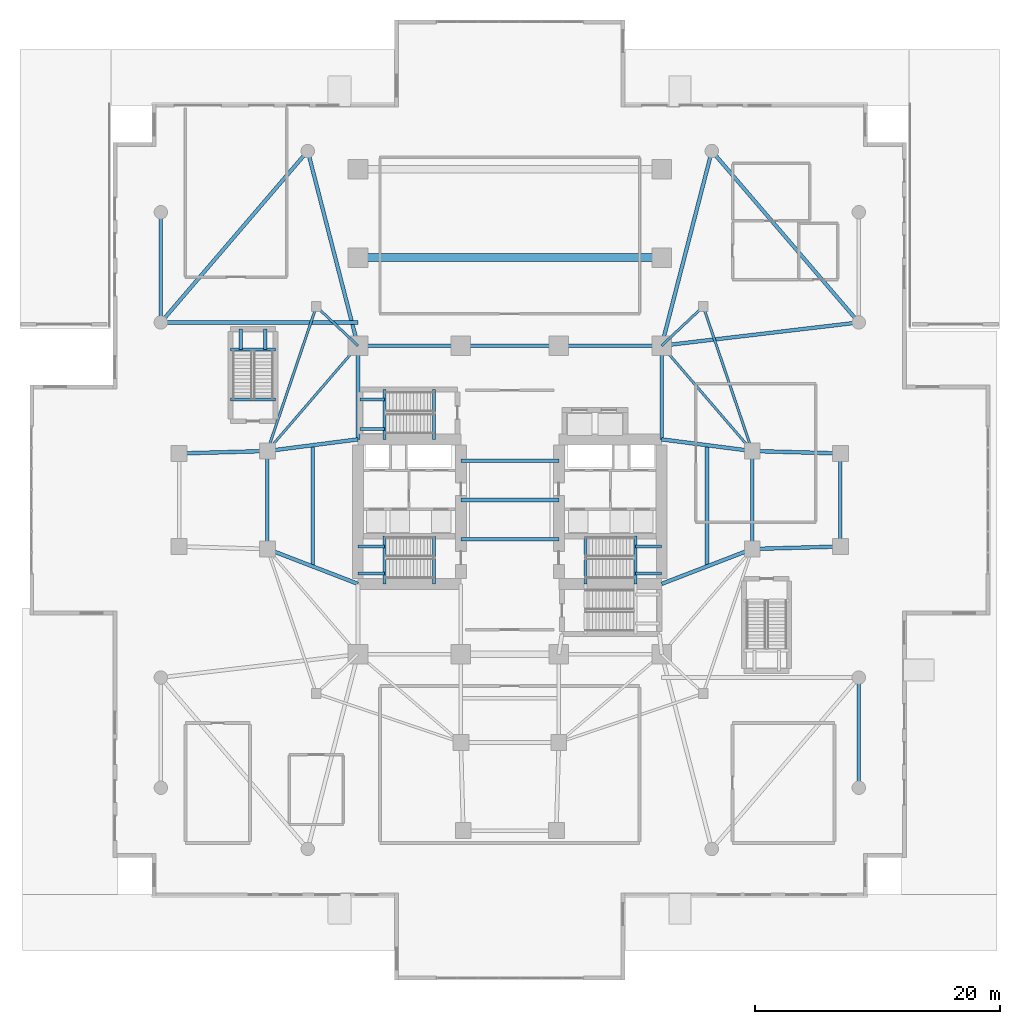
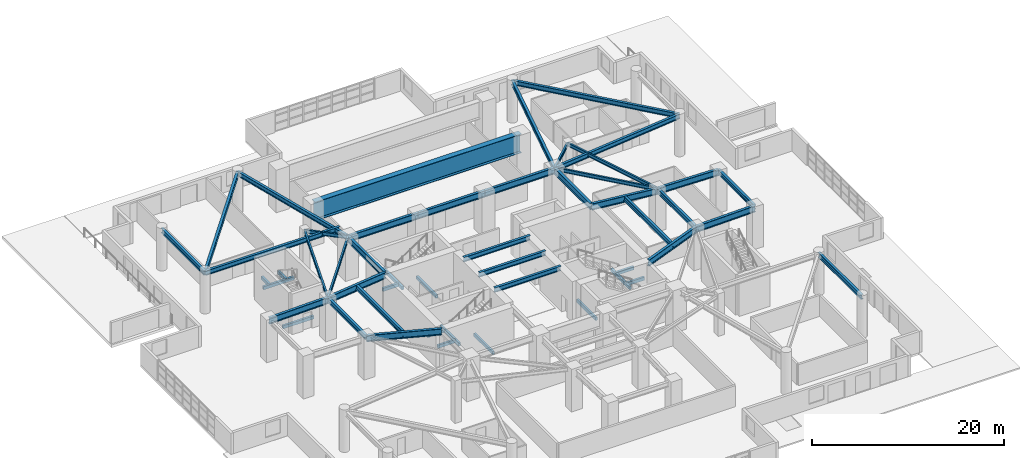
# One storey, part 7 of 24: 51 beams.
"""IFC4 building model written with IfcOpenShell, lengths in metres."""

from ifc_helpers import new_model, si_unit, direction, frame, origin, origin_2d, place, context, subcontext, project, spatial, rectangle, i_section, extrude, material, material_profile, profile_set, type_object, element, save


model = new_model("IFC4")

# Units and contexts
model_context = context("Model", 3, precision=1e-05, world=origin(), true_north=direction((0.0, 1.0)))
body_context = subcontext(model_context, "Body", "Model", "MODEL_VIEW")
ifc_project = project(units=[si_unit("LENGTHUNIT", "METRE"), si_unit("AREAUNIT", "SQUARE_METRE"), si_unit("VOLUMEUNIT", "CUBIC_METRE"), si_unit("PLANEANGLEUNIT", "RADIAN"), si_unit("MASSUNIT", "GRAM", prefix="KILO")], contexts=[model_context])

# Site, building, storey
site_placement = place(None, origin())
site = spatial("IfcSite", under=ifc_project, at=site_placement, CompositionType="ELEMENT")
building_placement = place(site_placement, origin())
building = spatial("IfcBuilding", under=site, at=building_placement, Name="Qingluan Cross Belvedere", CompositionType="ELEMENT")
storey_placement = place(building_placement, origin())
storey = spatial("IfcBuildingStorey", under=building, at=storey_placement, Name="L01", CompositionType="ELEMENT", Elevation=0.0)

# Beams
ifc_material_1 = material(Name="Concrete C45", Category="concrete")
ifc_material_profile_1 = material_profile(ifc_material_1, rectangle(XDim=0.25, YDim=0.39990234375, at=origin_2d()), Name="RC250x400")
ifc_profile_set_1 = profile_set([ifc_material_profile_1], Name="Concrete C45")
beam_type_1 = type_object("IfcBeamType", Name="RC_Lintel_RC250x400", PredefinedType="LINTEL", material=ifc_profile_set_1)
for number, where, z_axis, x_axis, name in (
    (1, (-6.179931640625, -6.85009765625, -0.199951171875), (0.0, 1.0, 0.0), (-1.0, 0.0, 0.0), "Stair ST1 landing beam L01"),
    (2, (6.179931640625, -6.85009765625, -0.199951171875), (0.0, 1.0, 0.0), (-1.0, 0.0, 0.0), "Stair ST2 landing beam L01"),
):
    element("IfcBeam", number, at=place(storey_placement, frame(where, z_axis=z_axis, x_axis=x_axis)), inside=storey, type_object=beam_type_1, Name=name, PredefinedType="LINTEL", context=body_context, shape_type="SweptSolid", body=[
        extrude(rectangle(XDim=0.25, YDim=0.39990234375, at=origin_2d()), origin(), (0.0, 0.0, 1.0), 3.89013671875),
    ])
beam_1_placement = place(storey_placement, frame((-6.179931640625, 4.949951171875, -0.199951171875), z_axis=(0.0, 1.0, 0.0), x_axis=(-1.0, 0.0, 0.0)))
element("IfcBeam", 3, at=beam_1_placement, inside=storey, type_object=beam_type_1, Name="Stair ST3 landing beam L01", PredefinedType="LINTEL", context=body_context, shape_type="SweptSolid", body=[
    extrude(rectangle(XDim=0.25, YDim=0.39990234375, at=origin_2d()), origin(), (0.0, 0.0, 1.0), 4.090087890625),
])
beam_2_placement = place(storey_placement, frame((-22.820068359375, 8.2099609375, -0.199951171875), z_axis=(1.0, 0.0, 0.0), x_axis=(0.0, 1.0, 0.0)))
element("IfcBeam", 4, at=beam_2_placement, inside=storey, type_object=beam_type_1, Name="Stair ST5 landing beam L01", PredefinedType="LINTEL", context=body_context, shape_type="SweptSolid", body=[
    extrude(rectangle(XDim=0.25, YDim=0.39990234375, at=origin_2d()), origin(), (0.0, 0.0, 1.0), 3.699951171875),
])
beam_3_placement = place(storey_placement, frame((-10.25, -6.85009765625, 2.300048828125), z_axis=(0.0, 1.0, 0.0), x_axis=(-1.0, 0.0, 0.0)))
element("IfcBeam", 5, at=beam_3_placement, inside=storey, type_object=beam_type_1, Name="Stair ST1 beam A L01", PredefinedType="LINTEL", context=body_context, shape_type="SweptSolid", body=[
    extrude(rectangle(XDim=0.25, YDim=0.39990234375, at=origin_2d()), origin(), (0.0, 0.0, 1.0), 3.89013671875),
])
for number, where, z_axis, x_axis, name in (
    (6, (-12.39990234375, -6.0, 2.300048828125), (1.0, 0.0, 0.0), (0.0, 1.0, 0.0), "Stair ST1 beam B L01"),
    (7, (-12.39990234375, -3.81005859375, 2.300048828125), (1.0, 0.0, 0.0), (0.0, 1.0, 0.0), "Stair ST1 beam C L01"),
):
    element("IfcBeam", number, at=place(storey_placement, frame(where, z_axis=z_axis, x_axis=x_axis)), inside=storey, type_object=beam_type_1, Name=name, PredefinedType="LINTEL", context=body_context, shape_type="SweptSolid", body=[
        extrude(rectangle(XDim=0.25, YDim=0.39990234375, at=origin_2d()), origin(), (0.0, 0.0, 1.0), 2.14990234375),
    ])
beam_4_placement = place(storey_placement, frame((10.25, -6.85009765625, 2.300048828125), z_axis=(0.0, 1.0, 0.0), x_axis=(-1.0, 0.0, 0.0)))
element("IfcBeam", 8, at=beam_4_placement, inside=storey, type_object=beam_type_1, Name="Stair ST2 beam A L01", PredefinedType="LINTEL", context=body_context, shape_type="SweptSolid", body=[
    extrude(rectangle(XDim=0.25, YDim=0.39990234375, at=origin_2d()), origin(), (0.0, 0.0, 1.0), 3.89013671875),
])
for number, where, z_axis, x_axis, name in (
    (9, (12.39990234375, -6.0, 2.300048828125), (-1.0, 0.0, 0.0), (0.0, -1.0, 0.0), "Stair ST2 beam B L01"),
    (10, (12.39990234375, -3.81005859375, 2.300048828125), (-1.0, 0.0, 0.0), (0.0, -1.0, 0.0), "Stair ST2 beam C L01"),
):
    element("IfcBeam", number, at=place(storey_placement, frame(where, z_axis=z_axis, x_axis=x_axis)), inside=storey, type_object=beam_type_1, Name=name, PredefinedType="LINTEL", context=body_context, shape_type="SweptSolid", body=[
        extrude(rectangle(XDim=0.25, YDim=0.39990234375, at=origin_2d()), origin(), (0.0, 0.0, 1.0), 2.14990234375),
    ])
beam_5_placement = place(storey_placement, frame((-10.25, 4.949951171875, 2.300048828125), z_axis=(0.0, 1.0, 0.0), x_axis=(-1.0, 0.0, 0.0)))
element("IfcBeam", 11, at=beam_5_placement, inside=storey, type_object=beam_type_1, Name="Stair ST3 beam A L01", PredefinedType="LINTEL", context=body_context, shape_type="SweptSolid", body=[
    extrude(rectangle(XDim=0.25, YDim=0.39990234375, at=origin_2d()), origin(), (0.0, 0.0, 1.0), 4.090087890625),
])
for number, where, z_axis, x_axis, name in (
    (12, (-12.219970703125, 5.800048828125, 2.300048828125), (1.0, 0.0, 0.0), (0.0, 1.0, 0.0), "Stair ST3 beam B L01"),
    (13, (-12.219970703125, 8.18994140625, 2.300048828125), (1.0, 0.0, 0.0), (0.0, 1.0, 0.0), "Stair ST3 beam C L01"),
):
    element("IfcBeam", number, at=place(storey_placement, frame(where, z_axis=z_axis, x_axis=x_axis)), inside=storey, type_object=beam_type_1, Name=name, PredefinedType="LINTEL", context=body_context, shape_type="SweptSolid", body=[
        extrude(rectangle(XDim=0.25, YDim=0.39990234375, at=origin_2d()), origin(), (0.0, 0.0, 1.0), 1.969970703125),
    ])
beam_6_placement = place(storey_placement, frame((-22.820068359375, 12.280029296875, 2.300048828125), z_axis=(1.0, 0.0, 0.0), x_axis=(0.0, 1.0, 0.0)))
element("IfcBeam", 14, at=beam_6_placement, inside=storey, type_object=beam_type_1, Name="Stair ST5 beam A L01", PredefinedType="LINTEL", context=body_context, shape_type="SweptSolid", body=[
    extrude(rectangle(XDim=0.25, YDim=0.39990234375, at=origin_2d()), origin(), (0.0, 0.0, 1.0), 3.699951171875),
])
for number, where, z_axis, x_axis, name in (
    (15, (-21.969970703125, 13.949951171875, 2.300048828125), (0.0, -1.0, 0.0), (1.0, 0.0, 0.0), "Stair ST5 beam B L01"),
    (16, (-19.969970703125, 13.949951171875, 2.300048828125), (0.0, -1.0, 0.0), (1.0, 0.0, 0.0), "Stair ST5 beam C L01"),
):
    element("IfcBeam", number, at=place(storey_placement, frame(where, z_axis=z_axis, x_axis=x_axis)), inside=storey, type_object=beam_type_1, Name=name, PredefinedType="LINTEL", context=body_context, shape_type="SweptSolid", body=[
        extrude(rectangle(XDim=0.25, YDim=0.39990234375, at=origin_2d()), origin(), (0.0, 0.0, 1.0), 1.669921875),
    ])
ifc_material_2 = material(Name="Steel Q420GJB", Category="steel")
ifc_material_profile_2 = material_profile(ifc_material_2, i_section(OverallWidth=0.300048828125, OverallDepth=0.587890625, WebThickness=0.011962890625, FlangeThickness=0.02001953125, FilletRadius=0.02392578125, at=origin_2d()), Name="HM588x300x12x20")
ifc_profile_set_2 = profile_set([ifc_material_profile_2], Name="Steel Q420GJB")
beam_type_2 = type_object("IfcBeamType", Name="Steel_Beam_HM588x300x12x20", PredefinedType="BEAM", material=ifc_profile_set_2)
for number, where, z_axis, x_axis, name in (
    (17, (-4.0, -3.199951171875, 4.85595703125), (1.0, 0.0, 0.0), (0.0, 1.0, 0.0), "Hall beam L01-CH1"),
    (18, (-4.0, 0.0, 4.85595703125), (1.0, 0.0, 0.0), (0.0, 1.0, 0.0), "Hall beam L01-CH2"),
    (19, (-4.0, 3.199951171875, 4.85595703125), (1.0, 0.0, 0.0), (0.0, 1.0, 0.0), "Hall beam L01-CH3"),
    (20, (19.800048828125, -4.0, 4.85595703125), (0.0, 1.0, 0.0), (-1.0, 0.0, 0.0), "Arm E tie L01"),
):
    element("IfcBeam", number, at=place(storey_placement, frame(where, z_axis=z_axis, x_axis=x_axis)), inside=storey, type_object=beam_type_2, Name=name, PredefinedType="BEAM", context=body_context, shape_type="SweptSolid", body=[
        extrude(i_section(OverallWidth=0.300048828125, OverallDepth=0.587890625, WebThickness=0.011962890625, FlangeThickness=0.02001953125, FilletRadius=0.02392578125, at=origin_2d()), origin(), (0.0, 0.0, 1.0), 8.0),
    ])
beam_7_placement = place(storey_placement, frame((16.10009765625, -5.425048828125, 4.85595703125), z_axis=(0.0, 1.0, 0.0), x_axis=(-1.0, 0.0, 0.0)))
element("IfcBeam", 21, at=beam_7_placement, inside=storey, type_object=beam_type_2, Name="Arm E beam L01", PredefinedType="BEAM", context=body_context, shape_type="SweptSolid", body=[
    extrude(i_section(OverallWidth=0.300048828125, OverallDepth=0.587890625, WebThickness=0.011962890625, FlangeThickness=0.02001953125, FilletRadius=0.02392578125, at=origin_2d()), origin(), (0.0, 0.0, 1.0), 9.900146484375),
])
beam_8_placement = place(storey_placement, frame((27.0, -3.800048828125, 4.85595703125), z_axis=(0.0, 1.0, 0.0), x_axis=(-1.0, 0.0, 0.0)))
element("IfcBeam", 22, at=beam_8_placement, inside=storey, type_object=beam_type_2, Name="Arm E tip transverse beam L01", PredefinedType="BEAM", context=body_context, shape_type="SweptSolid", body=[
    extrude(i_section(OverallWidth=0.300048828125, OverallDepth=0.587890625, WebThickness=0.011962890625, FlangeThickness=0.02001953125, FilletRadius=0.02392578125, at=origin_2d()), origin(), (0.0, 0.0, 1.0), 7.60009765625),
])
beam_9_placement = place(storey_placement, frame((-19.800048828125, -4.0, 4.85595703125), z_axis=(0.0, 1.0, 0.0), x_axis=(-1.0, 0.0, 0.0)))
element("IfcBeam", 23, at=beam_9_placement, inside=storey, type_object=beam_type_2, Name="Arm W tie L01", PredefinedType="BEAM", context=body_context, shape_type="SweptSolid", body=[
    extrude(i_section(OverallWidth=0.300048828125, OverallDepth=0.587890625, WebThickness=0.011962890625, FlangeThickness=0.02001953125, FilletRadius=0.02392578125, at=origin_2d()), origin(), (0.0, 0.0, 1.0), 8.0),
])
beam_10_placement = place(storey_placement, frame((-16.10009765625, -5.425048828125, 4.85595703125), z_axis=(0.0, 1.0, 0.0), x_axis=(-1.0, 0.0, 0.0)))
element("IfcBeam", 24, at=beam_10_placement, inside=storey, type_object=beam_type_2, Name="Arm W beam L01", PredefinedType="BEAM", context=body_context, shape_type="SweptSolid", body=[
    extrude(i_section(OverallWidth=0.300048828125, OverallDepth=0.587890625, WebThickness=0.011962890625, FlangeThickness=0.02001953125, FilletRadius=0.02392578125, at=origin_2d()), origin(), (0.0, 0.0, 1.0), 9.900146484375),
])
beam_11_placement = place(storey_placement, frame((-12.39990234375, 14.5, 4.85595703125), z_axis=(-1.0, 0.0, 0.0), x_axis=(0.0, -1.0, 0.0)))
element("IfcBeam", 25, at=beam_11_placement, inside=storey, type_object=beam_type_2, Name="Podium quadrant tie beam L01-WNH1", PredefinedType="BEAM", context=body_context, shape_type="SweptSolid", body=[
    extrude(i_section(OverallWidth=0.300048828125, OverallDepth=0.587890625, WebThickness=0.011962890625, FlangeThickness=0.02001953125, FilletRadius=0.02392578125, at=origin_2d()), origin(), (0.0, 0.0, 1.0), 16.10009765625),
])
beam_12_placement = place(storey_placement, frame((-12.39990234375, 12.60009765625, 4.85595703125), z_axis=(-0.249700840873, 0.968323029814, 0.0), x_axis=(-0.968323029814, -0.249700840873, 0.0)))
element("IfcBeam", 26, at=beam_12_placement, inside=storey, type_object=beam_type_2, Name="Podium quadrant tie beam L01-WNH3", PredefinedType="BEAM", context=body_context, shape_type="SweptSolid", body=[
    extrude(i_section(OverallWidth=0.300048828125, OverallDepth=0.587890625, WebThickness=0.011962890625, FlangeThickness=0.02001953125, FilletRadius=0.02392578125, at=origin_2d()), origin(), (0.0, 0.0, 1.0), 16.419921875),
])
beam_13_placement = place(storey_placement, frame((-28.5, 14.5, 4.85595703125), z_axis=(0.0, 1.0, 0.0), x_axis=(-1.0, 0.0, 0.0)))
element("IfcBeam", 27, at=beam_13_placement, inside=storey, type_object=beam_type_2, Name="Podium quadrant tie beam L01-WN12", PredefinedType="BEAM", context=body_context, shape_type="SweptSolid", body=[
    extrude(i_section(OverallWidth=0.300048828125, OverallDepth=0.587890625, WebThickness=0.011962890625, FlangeThickness=0.02001953125, FilletRadius=0.02392578125, at=origin_2d()), origin(), (0.0, 0.0, 1.0), 9.0),
])
beam_14_placement = place(storey_placement, frame((-28.5, 14.5, 4.85595703125), z_axis=(0.650791373456, 0.759256602365, 0.0), x_axis=(-0.759256602365, 0.650791373456, 0.0)))
element("IfcBeam", 28, at=beam_14_placement, inside=storey, type_object=beam_type_2, Name="Podium quadrant tie beam L01-WN13", PredefinedType="BEAM", context=body_context, shape_type="SweptSolid", body=[
    extrude(i_section(OverallWidth=0.300048828125, OverallDepth=0.587890625, WebThickness=0.011962890625, FlangeThickness=0.02001953125, FilletRadius=0.02392578125, at=origin_2d()), origin(), (0.0, 0.0, 1.0), 18.439208984375),
])
beam_15_placement = place(storey_placement, frame((28.5, -14.5, 4.85595703125), z_axis=(0.0, -1.0, 0.0), x_axis=(1.0, 0.0, 0.0)))
element("IfcBeam", 29, at=beam_15_placement, inside=storey, type_object=beam_type_2, Name="Podium quadrant tie beam L01-ES12", PredefinedType="BEAM", context=body_context, shape_type="SweptSolid", body=[
    extrude(i_section(OverallWidth=0.300048828125, OverallDepth=0.587890625, WebThickness=0.011962890625, FlangeThickness=0.02001953125, FilletRadius=0.02392578125, at=origin_2d()), origin(), (0.0, 0.0, 1.0), 9.0),
])
beam_16_placement = place(storey_placement, frame((12.39990234375, 12.60009765625, 4.85595703125), z_axis=(0.99310921872, 0.117192489917, 0.0), x_axis=(-0.117192489917, 0.99310921872, 0.0)))
element("IfcBeam", 30, at=beam_16_placement, inside=storey, type_object=beam_type_2, Name="Podium quadrant tie beam L01-ENH1", PredefinedType="BEAM", context=body_context, shape_type="SweptSolid", body=[
    extrude(i_section(OverallWidth=0.300048828125, OverallDepth=0.587890625, WebThickness=0.011962890625, FlangeThickness=0.02001953125, FilletRadius=0.02392578125, at=origin_2d()), origin(), (0.0, 0.0, 1.0), 16.2119140625),
])
beam_17_placement = place(storey_placement, frame((12.39990234375, 12.60009765625, 4.85595703125), z_axis=(0.249700840873, 0.968323029814, 0.0), x_axis=(-0.968323029814, 0.249700840873, 0.0)))
element("IfcBeam", 31, at=beam_17_placement, inside=storey, type_object=beam_type_2, Name="Podium quadrant tie beam L01-ENH3", PredefinedType="BEAM", context=body_context, shape_type="SweptSolid", body=[
    extrude(i_section(OverallWidth=0.300048828125, OverallDepth=0.587890625, WebThickness=0.011962890625, FlangeThickness=0.02001953125, FilletRadius=0.02392578125, at=origin_2d()), origin(), (0.0, 0.0, 1.0), 16.419921875),
])
beam_18_placement = place(storey_placement, frame((28.5, 14.5, 4.85595703125), z_axis=(-0.650791373456, 0.759256602365, 0.0), x_axis=(-0.759256602365, -0.650791373456, 0.0)))
element("IfcBeam", 32, at=beam_18_placement, inside=storey, type_object=beam_type_2, Name="Podium quadrant tie beam L01-EN13", PredefinedType="BEAM", context=body_context, shape_type="SweptSolid", body=[
    extrude(i_section(OverallWidth=0.300048828125, OverallDepth=0.587890625, WebThickness=0.011962890625, FlangeThickness=0.02001953125, FilletRadius=0.02392578125, at=origin_2d()), origin(), (0.0, 0.0, 1.0), 18.439208984375),
])
ifc_material_3 = material(Name="Steel Q420GJB", Category="steel")
ifc_material_profile_3 = material_profile(ifc_material_3, i_section(OverallWidth=0.199951171875, OverallDepth=0.449951171875, WebThickness=0.009033203125, FlangeThickness=0.013916015625, FilletRadius=0.01611328125, at=origin_2d()), Name="HN450x200x9x14")
ifc_profile_set_3 = profile_set([ifc_material_profile_3], Name="Steel Q420GJB")
beam_type_3 = type_object("IfcBeamType", Name="Steel_Beam_HN450x200x9x14", PredefinedType="JOIST", material=ifc_profile_set_3)
beam_19_placement = place(storey_placement, frame((12.39990234375, 12.60009765625, 4.925048828125), z_axis=(0.728219948308, 0.685343495546, 0.0), x_axis=(-0.685343495546, 0.728219948308, 0.0)))
element("IfcBeam", 33, at=beam_19_placement, inside=storey, type_object=beam_type_3, Name="Corner beam 1 L01-RNE", PredefinedType="JOIST", context=body_context, shape_type="SweptSolid", body=[
    extrude(i_section(OverallWidth=0.199951171875, OverallDepth=0.449951171875, WebThickness=0.009033203125, FlangeThickness=0.013916015625, FilletRadius=0.01611328125, at=origin_2d()), origin(), (0.0, 0.0, 1.0), 4.669189453125),
])
beam_20_placement = place(storey_placement, frame((15.800048828125, 15.800048828125, 4.925048828125), z_axis=(0.321038089628, -0.947066283324, 0.0), x_axis=(0.947066283324, 0.321038089628, 0.0)))
element("IfcBeam", 34, at=beam_20_placement, inside=storey, type_object=beam_type_3, Name="Corner beam 3 L01-RNE", PredefinedType="JOIST", context=body_context, shape_type="SweptSolid", body=[
    extrude(i_section(OverallWidth=0.199951171875, OverallDepth=0.449951171875, WebThickness=0.009033203125, FlangeThickness=0.013916015625, FilletRadius=0.01611328125, at=origin_2d()), origin(), (0.0, 0.0, 1.0), 12.45947265625),
])
beam_21_placement = place(storey_placement, frame((12.39990234375, 12.60009765625, 4.925048828125), z_axis=(0.652245077546, -0.75800815221, 0.0), x_axis=(0.75800815221, 0.652245077546, 0.0)))
element("IfcBeam", 35, at=beam_21_placement, inside=storey, type_object=beam_type_3, Name="Corner beam 4 L01-RNE", PredefinedType="JOIST", context=body_context, shape_type="SweptSolid", body=[
    extrude(i_section(OverallWidth=0.199951171875, OverallDepth=0.449951171875, WebThickness=0.009033203125, FlangeThickness=0.013916015625, FilletRadius=0.01611328125, at=origin_2d()), origin(), (0.0, 0.0, 1.0), 11.345703125),
])
beam_22_placement = place(storey_placement, frame((-12.39990234375, 12.60009765625, 4.925048828125), z_axis=(-0.728219948308, 0.685343495546, 0.0), x_axis=(-0.685343495546, -0.728219948308, 0.0)))
element("IfcBeam", 36, at=beam_22_placement, inside=storey, type_object=beam_type_3, Name="Corner beam 1 L01-RNW", PredefinedType="JOIST", context=body_context, shape_type="SweptSolid", body=[
    extrude(i_section(OverallWidth=0.199951171875, OverallDepth=0.449951171875, WebThickness=0.009033203125, FlangeThickness=0.013916015625, FilletRadius=0.01611328125, at=origin_2d()), origin(), (0.0, 0.0, 1.0), 4.669189453125),
])
beam_23_placement = place(storey_placement, frame((-15.800048828125, 15.800048828125, 4.925048828125), z_axis=(-0.321038089628, -0.947066283324, 0.0), x_axis=(0.947066283324, -0.321038089628, 0.0)))
element("IfcBeam", 37, at=beam_23_placement, inside=storey, type_object=beam_type_3, Name="Corner beam 3 L01-RNW", PredefinedType="JOIST", context=body_context, shape_type="SweptSolid", body=[
    extrude(i_section(OverallWidth=0.199951171875, OverallDepth=0.449951171875, WebThickness=0.009033203125, FlangeThickness=0.013916015625, FilletRadius=0.01611328125, at=origin_2d()), origin(), (0.0, 0.0, 1.0), 12.45947265625),
])
beam_24_placement = place(storey_placement, frame((-12.39990234375, 12.60009765625, 4.925048828125), z_axis=(-0.652245077546, -0.75800815221, 0.0), x_axis=(0.75800815221, -0.652245077546, 0.0)))
element("IfcBeam", 38, at=beam_24_placement, inside=storey, type_object=beam_type_3, Name="Corner beam 4 L01-RNW", PredefinedType="JOIST", context=body_context, shape_type="SweptSolid", body=[
    extrude(i_section(OverallWidth=0.199951171875, OverallDepth=0.449951171875, WebThickness=0.009033203125, FlangeThickness=0.013916015625, FilletRadius=0.01611328125, at=origin_2d()), origin(), (0.0, 0.0, 1.0), 11.345703125),
])
ifc_material_4 = material(Name="Steel Q420GJB", Category="steel")
ifc_material_profile_4 = material_profile(ifc_material_4, i_section(OverallWidth=0.305908203125, OverallDepth=0.81396484375, WebThickness=0.02099609375, FlangeThickness=0.0400390625, FilletRadius=0.030029296875, at=origin_2d()), Name="HEM800")
ifc_profile_set_4 = profile_set([ifc_material_profile_4], Name="Steel Q420GJB")
beam_type_4 = type_object("IfcBeamType", Name="Steel_Girder_HEM800", PredefinedType="USERDEFINED", material=ifc_profile_set_4)
beam_25_placement = place(storey_placement, frame((-12.39990234375, 12.60009765625, 4.742919921875), z_axis=(1.0, 0.0, 0.0), x_axis=(0.0, 1.0, 0.0)))
element("IfcBeam", 39, at=beam_25_placement, inside=storey, type_object=beam_type_4, Name="Hub girder L01-HG-N1", ObjectType="GIRDER", PredefinedType="USERDEFINED", context=body_context, shape_type="SweptSolid", body=[
    extrude(i_section(OverallWidth=0.305908203125, OverallDepth=0.81396484375, WebThickness=0.02099609375, FlangeThickness=0.0400390625, FilletRadius=0.030029296875, at=origin_2d()), origin(), (0.0, 0.0, 1.0), 8.39990234375),
])
beam_26_placement = place(storey_placement, frame((-4.0, 12.60009765625, 4.742919921875), z_axis=(1.0, 0.0, 0.0), x_axis=(0.0, 1.0, 0.0)))
element("IfcBeam", 40, at=beam_26_placement, inside=storey, type_object=beam_type_4, Name="Hub girder L01-HG-N2", ObjectType="GIRDER", PredefinedType="USERDEFINED", context=body_context, shape_type="SweptSolid", body=[
    extrude(i_section(OverallWidth=0.305908203125, OverallDepth=0.81396484375, WebThickness=0.02099609375, FlangeThickness=0.0400390625, FilletRadius=0.030029296875, at=origin_2d()), origin(), (0.0, 0.0, 1.0), 8.0),
])
beam_27_placement = place(storey_placement, frame((4.0, 12.60009765625, 4.742919921875), z_axis=(1.0, 0.0, 0.0), x_axis=(0.0, 1.0, 0.0)))
element("IfcBeam", 41, at=beam_27_placement, inside=storey, type_object=beam_type_4, Name="Hub girder L01-HG-N3", ObjectType="GIRDER", PredefinedType="USERDEFINED", context=body_context, shape_type="SweptSolid", body=[
    extrude(i_section(OverallWidth=0.305908203125, OverallDepth=0.81396484375, WebThickness=0.02099609375, FlangeThickness=0.0400390625, FilletRadius=0.030029296875, at=origin_2d()), origin(), (0.0, 0.0, 1.0), 8.39990234375),
])
for number, where, z_axis, x_axis, name in (
    (42, (-12.39990234375, 4.949951171875, 4.742919921875), (0.0, 1.0, 0.0), (-1.0, 0.0, 0.0), "Hub girder L01-HG-W2"),
    (43, (12.39990234375, 4.949951171875, 4.742919921875), (0.0, 1.0, 0.0), (-1.0, 0.0, 0.0), "Hub girder L01-HG-E2"),
):
    element("IfcBeam", number, at=place(storey_placement, frame(where, z_axis=z_axis, x_axis=x_axis)), inside=storey, type_object=beam_type_4, Name=name, ObjectType="GIRDER", PredefinedType="USERDEFINED", context=body_context, shape_type="SweptSolid", body=[
        extrude(i_section(OverallWidth=0.305908203125, OverallDepth=0.81396484375, WebThickness=0.02099609375, FlangeThickness=0.0400390625, FilletRadius=0.030029296875, at=origin_2d()), origin(), (0.0, 0.0, 1.0), 7.650146484375),
    ])
beam_28_placement = place(storey_placement, frame((12.39990234375, -6.85009765625, 4.742919921875), z_axis=(0.933181258889, 0.359406090735, 0.0), x_axis=(-0.359406090735, 0.933181258889, 0.0)))
element("IfcBeam", 44, at=beam_28_placement, inside=storey, type_object=beam_type_4, Name="Arm E radial girder A L01", ObjectType="GIRDER", PredefinedType="USERDEFINED", context=body_context, shape_type="SweptSolid", body=[
    extrude(i_section(OverallWidth=0.305908203125, OverallDepth=0.81396484375, WebThickness=0.02099609375, FlangeThickness=0.0400390625, FilletRadius=0.030029296875, at=origin_2d()), origin(), (0.0, 0.0, 1.0), 7.929931640625),
])
beam_29_placement = place(storey_placement, frame((12.39990234375, 4.949951171875, 4.742919921875), z_axis=(0.991861120628, -0.12732445714, 0.0), x_axis=(0.12732445714, 0.991861120628, 0.0)))
element("IfcBeam", 45, at=beam_29_placement, inside=storey, type_object=beam_type_4, Name="Arm E radial girder B L01", ObjectType="GIRDER", PredefinedType="USERDEFINED", context=body_context, shape_type="SweptSolid", body=[
    extrude(i_section(OverallWidth=0.305908203125, OverallDepth=0.81396484375, WebThickness=0.02099609375, FlangeThickness=0.0400390625, FilletRadius=0.030029296875, at=origin_2d()), origin(), (0.0, 0.0, 1.0), 7.4609375),
])
for number, where, z_axis, x_axis, name in (
    (46, (19.800048828125, -4.0, 4.742919921875), (0.999614603568, 0.027760481514, 0.0), (-0.027760481514, 0.999614603568, 0.0), "Arm E outer radial girder A L01"),
    (47, (19.800048828125, 4.0, 4.742919921875), (0.999614603568, -0.027760481514, 0.0), (0.027760481514, 0.999614603568, 0.0), "Arm E outer radial girder B L01"),
):
    element("IfcBeam", number, at=place(storey_placement, frame(where, z_axis=z_axis, x_axis=x_axis)), inside=storey, type_object=beam_type_4, Name=name, ObjectType="GIRDER", PredefinedType="USERDEFINED", context=body_context, shape_type="SweptSolid", body=[
        extrude(i_section(OverallWidth=0.305908203125, OverallDepth=0.81396484375, WebThickness=0.02099609375, FlangeThickness=0.0400390625, FilletRadius=0.030029296875, at=origin_2d()), origin(), (0.0, 0.0, 1.0), 7.20263671875),
    ])
beam_30_placement = place(storey_placement, frame((-12.39990234375, -6.85009765625, 4.742919921875), z_axis=(-0.933181258889, 0.359406090735, 0.0), x_axis=(-0.359406090735, -0.933181258889, 0.0)))
element("IfcBeam", 48, at=beam_30_placement, inside=storey, type_object=beam_type_4, Name="Arm W radial girder A L01", ObjectType="GIRDER", PredefinedType="USERDEFINED", context=body_context, shape_type="SweptSolid", body=[
    extrude(i_section(OverallWidth=0.305908203125, OverallDepth=0.81396484375, WebThickness=0.02099609375, FlangeThickness=0.0400390625, FilletRadius=0.030029296875, at=origin_2d()), origin(), (0.0, 0.0, 1.0), 7.929931640625),
])
beam_31_placement = place(storey_placement, frame((-12.39990234375, 4.949951171875, 4.742919921875), z_axis=(-0.991861120628, -0.12732445714, 0.0), x_axis=(0.12732445714, -0.991861120628, 0.0)))
element("IfcBeam", 49, at=beam_31_placement, inside=storey, type_object=beam_type_4, Name="Arm W radial girder B L01", ObjectType="GIRDER", PredefinedType="USERDEFINED", context=body_context, shape_type="SweptSolid", body=[
    extrude(i_section(OverallWidth=0.305908203125, OverallDepth=0.81396484375, WebThickness=0.02099609375, FlangeThickness=0.0400390625, FilletRadius=0.030029296875, at=origin_2d()), origin(), (0.0, 0.0, 1.0), 7.4609375),
])
beam_32_placement = place(storey_placement, frame((-19.800048828125, 4.0, 4.742919921875), z_axis=(-0.999614603568, -0.027760481514, 0.0), x_axis=(0.027760481514, -0.999614603568, 0.0)))
element("IfcBeam", 50, at=beam_32_placement, inside=storey, type_object=beam_type_4, Name="Arm W outer radial girder B L01", ObjectType="GIRDER", PredefinedType="USERDEFINED", context=body_context, shape_type="SweptSolid", body=[
    extrude(i_section(OverallWidth=0.305908203125, OverallDepth=0.81396484375, WebThickness=0.02099609375, FlangeThickness=0.0400390625, FilletRadius=0.030029296875, at=origin_2d()), origin(), (0.0, 0.0, 1.0), 7.20263671875),
])
ifc_material_5 = material(Name="Steel Q420GJB", Category="steel")
ifc_material_profile_5 = material_profile(ifc_material_5, i_section(OverallWidth=0.64990234375, OverallDepth=2.39990234375, WebThickness=0.035888671875, FlangeThickness=0.054931640625, FilletRadius=0.02392578125, at=origin_2d()), Name="WTG2400x650x36x55")
ifc_profile_set_5 = profile_set([ifc_material_profile_5], Name="Steel Q420GJB")
beam_type_5 = type_object("IfcBeamType", Name="Steel_Girder_WTG2400x650x36x55", PredefinedType="USERDEFINED", material=ifc_profile_set_5)
beam_33_placement = place(storey_placement, frame((-12.39990234375, 19.800048828125, 3.949951171875), z_axis=(1.0, 0.0, 0.0), x_axis=(0.0, 1.0, 0.0)))
element("IfcBeam", 51, at=beam_33_placement, inside=storey, type_object=beam_type_5, Name="Grand ballroom transfer girder TG1 (WTG2400x650x36x55)", ObjectType="GIRDER", PredefinedType="USERDEFINED", context=body_context, shape_type="SweptSolid", body=[
    extrude(i_section(OverallWidth=0.64990234375, OverallDepth=2.39990234375, WebThickness=0.035888671875, FlangeThickness=0.054931640625, FilletRadius=0.02392578125, at=origin_2d()), origin(), (0.0, 0.0, 1.0), 24.7998046875),
])

save(model, "model.ifc")
